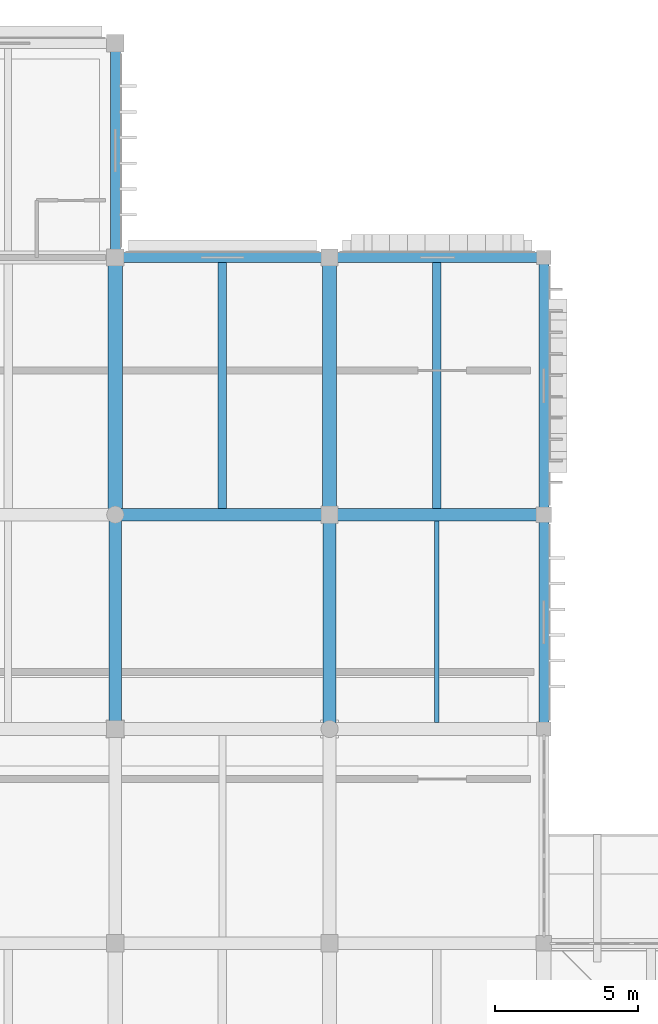
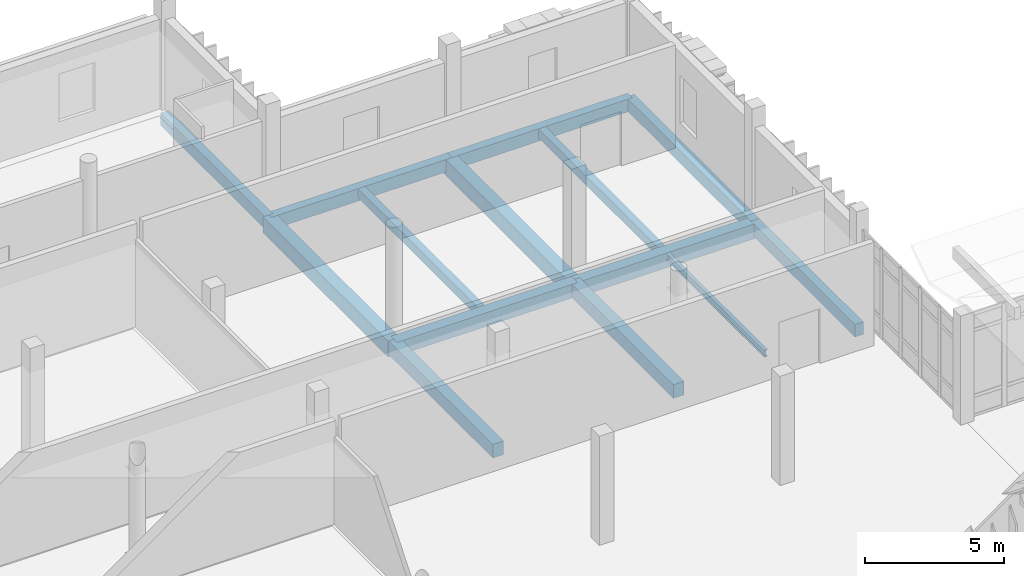
# One storey, part 73 of 131: 14 beams.
"""IFC4 building model written with IfcOpenShell, lengths in metres."""

from ifc_helpers import new_model, si_unit, direction, frame, origin, origin_2d, place, context, subcontext, project, spatial, rectangle, i_section, extrude, material, material_profile, profile_set, type_object, element, save


model = new_model("IFC4")

# Units and contexts
model_context = context("Model", 3, precision=1e-05, world=origin(), true_north=direction((0.0, 1.0)))
body_context = subcontext(model_context, "Body", "Model", "MODEL_VIEW")
ifc_project = project(units=[si_unit("LENGTHUNIT", "METRE"), si_unit("AREAUNIT", "SQUARE_METRE"), si_unit("VOLUMEUNIT", "CUBIC_METRE"), si_unit("PLANEANGLEUNIT", "RADIAN"), si_unit("MASSUNIT", "GRAM", prefix="KILO")], contexts=[model_context])

# Site, building, storey
site_placement = place(None, origin())
site = spatial("IfcSite", under=ifc_project, at=site_placement, CompositionType="ELEMENT")
building_placement = place(site_placement, origin())
building = spatial("IfcBuilding", under=site, at=building_placement, Name="Dalvernix Boulevard General Hospital", CompositionType="ELEMENT")
storey_placement = place(building_placement, frame((0.0, 0.0, 9.300048828125)))
storey = spatial("IfcBuildingStorey", under=building, at=storey_placement, Name="L02", CompositionType="ELEMENT", Elevation=9.300048828125)

# Beams
ifc_material_1 = material(Name="Concrete C35/45", Category="concrete")
ifc_material_profile_1 = material_profile(ifc_material_1, rectangle(XDim=0.5, YDim=0.699951171875, at=origin_2d()), Name="RCB 500x700")
ifc_profile_set_1 = profile_set([ifc_material_profile_1], Name="Concrete C35/45")
beam_type_1 = type_object("IfcBeamType", Name="BM-B-01-I", PredefinedType="BEAM", material=ifc_profile_set_1)
for number, where, z_axis, x_axis, name in (
    (1, (127.5, 100.5, -0.670166015625), (0.0, 1.0, 0.0), (-1.0, 0.0, 0.0), "L02 N-S girder 18:P-Q"),
    (2, (135.0, 100.5, -0.670166015625), (0.0, 1.0, 0.0), (-1.0, 0.0, 0.0), "L02 N-S girder 19:P-Q"),
):
    element("IfcBeam", number, at=place(storey_placement, frame(where, z_axis=z_axis, x_axis=x_axis)), inside=storey, type_object=beam_type_1, Name=name, PredefinedType="BEAM", context=body_context, shape_type="SweptSolid", body=[
        extrude(rectangle(XDim=0.5, YDim=0.699951171875, at=origin_2d()), origin(), (0.0, 0.0, 1.0), 9.0),
    ])
ifc_material_profile_2 = material_profile(ifc_material_1, rectangle(XDim=0.449951171875, YDim=0.64990234375, at=origin_2d()), Name="RCB 450x650")
ifc_profile_set_2 = profile_set([ifc_material_profile_2], Name="Concrete C35/45")
beam_type_2 = type_object("IfcBeamType", Name="BM-B-03-I", PredefinedType="BEAM", material=ifc_profile_set_2)
beam_1_placement = place(storey_placement, frame((135.0, 100.5, -0.64501953125), z_axis=(1.0, 0.0, 0.0), x_axis=(0.0, 1.0, 0.0)))
element("IfcBeam", 3, at=beam_1_placement, inside=storey, type_object=beam_type_2, Name="L02 E-W girder P:19-20", PredefinedType="BEAM", context=body_context, shape_type="SweptSolid", body=[
    extrude(rectangle(XDim=0.449951171875, YDim=0.64990234375, at=origin_2d()), origin(), (0.0, 0.0, 1.0), 7.5),
])
ifc_material_profile_3 = material_profile(ifc_material_1, rectangle(XDim=0.449951171875, YDim=0.60009765625, at=origin_2d()), Name="RCB 450x600")
ifc_profile_set_3 = profile_set([ifc_material_profile_3], Name="Concrete C35/45")
beam_type_3 = type_object("IfcBeamType", Name="BM-B-04-I", PredefinedType="BEAM", material=ifc_profile_set_3)
for number, where, z_axis, x_axis, name in (
    (4, (127.5, 100.5, -0.6201171875), (1.0, 0.0, 0.0), (0.0, 1.0, 0.0), "L02 E-W girder P:18-19"),
    (5, (127.5, 93.0, -0.6201171875), (0.0, 1.0, 0.0), (-1.0, 0.0, 0.0), "L02 N-S girder 18:N-P"),
    (6, (135.0, 93.0, -0.6201171875), (0.0, 1.0, 0.0), (-1.0, 0.0, 0.0), "L02 N-S girder 19:N-P"),
):
    element("IfcBeam", number, at=place(storey_placement, frame(where, z_axis=z_axis, x_axis=x_axis)), inside=storey, type_object=beam_type_3, Name=name, PredefinedType="BEAM", context=body_context, shape_type="SweptSolid", body=[
        extrude(rectangle(XDim=0.449951171875, YDim=0.60009765625, at=origin_2d()), origin(), (0.0, 0.0, 1.0), 7.5),
    ])
ifc_material_profile_4 = material_profile(ifc_material_1, rectangle(XDim=0.300048828125, YDim=0.39990234375, at=origin_2d()), Name="RCB 300x400")
ifc_profile_set_4 = profile_set([ifc_material_profile_4], Name="Concrete C35/45")
beam_type_4 = type_object("IfcBeamType", Name="BM-JB-01", PredefinedType="JOIST", material=ifc_profile_set_4)
for number, where, z_axis, x_axis, name in (
    (7, (131.25, 100.72509765625, -0.52001953125), (0.0, 1.0, 0.0), (-1.0, 0.0, 0.0), "L02 secondary floor beam 18-P"),
    (8, (138.75, 100.72509765625, -0.52001953125), (0.0, 1.0, 0.0), (-1.0, 0.0, 0.0), "L02 secondary floor beam 19-P"),
):
    element("IfcBeam", number, at=place(storey_placement, frame(where, z_axis=z_axis, x_axis=x_axis)), inside=storey, type_object=beam_type_4, Name=name, PredefinedType="JOIST", context=body_context, shape_type="SweptSolid", body=[
        extrude(rectangle(XDim=0.300048828125, YDim=0.39990234375, at=origin_2d()), origin(), (0.0, 0.0, 1.0), 8.599853515625),
    ])
ifc_material_2 = material(Name="Steel S355", Category="steel")
ifc_material_profile_5 = material_profile(ifc_material_2, i_section(OverallWidth=0.14990234375, OverallDepth=0.300048828125, WebThickness=0.007080078125, FlangeThickness=0.0107421875, FilletRadius=0.014892578125, at=origin_2d()), Name="IPE 300")
ifc_profile_set_5 = profile_set([ifc_material_profile_5], Name="Steel S355")
beam_type_5 = type_object("IfcBeamType", Name="BM-JB-03", PredefinedType="JOIST", material=ifc_profile_set_5)
beam_2_placement = place(storey_placement, frame((138.75, 93.22509765625, -0.469970703125), z_axis=(0.0, 1.0, 0.0), x_axis=(-1.0, 0.0, 0.0)))
element("IfcBeam", 9, at=beam_2_placement, inside=storey, type_object=beam_type_5, Name="L02 secondary floor beam 19-N", PredefinedType="JOIST", context=body_context, shape_type="SweptSolid", body=[
    extrude(i_section(OverallWidth=0.14990234375, OverallDepth=0.300048828125, WebThickness=0.007080078125, FlangeThickness=0.0107421875, FilletRadius=0.014892578125, at=origin_2d()), origin(), (0.0, 0.0, 1.0), 7.0498046875),
])
ifc_material_profile_6 = material_profile(ifc_material_1, rectangle(XDim=0.35009765625, YDim=0.550048828125, at=origin_2d()), Name="RCB 350x550")
ifc_profile_set_6 = profile_set([ifc_material_profile_6], Name="Concrete C35/45")
beam_type_6 = type_object("IfcBeamType", Name="BM-SB-01-E", PredefinedType="SPANDREL", material=ifc_profile_set_6)
for number, where, z_axis, x_axis, name in (
    (10, (127.5, 109.5, -0.594970703125), (1.0, 0.0, 0.0), (0.0, 1.0, 0.0), "L02 E-W girder Q:18-19"),
    (11, (135.0, 109.5, -0.594970703125), (1.0, 0.0, 0.0), (0.0, 1.0, 0.0), "L02 E-W girder Q:19-20"),
    (12, (127.5, 109.5, -0.594970703125), (0.0, 1.0, 0.0), (-1.0, 0.0, 0.0), "L02 N-S girder 18:Q-R"),
    (13, (142.5, 93.0, -0.594970703125), (0.0, 1.0, 0.0), (-1.0, 0.0, 0.0), "L02 N-S girder 20:N-P"),
):
    element("IfcBeam", number, at=place(storey_placement, frame(where, z_axis=z_axis, x_axis=x_axis)), inside=storey, type_object=beam_type_6, Name=name, PredefinedType="SPANDREL", context=body_context, shape_type="SweptSolid", body=[
        extrude(rectangle(XDim=0.35009765625, YDim=0.550048828125, at=origin_2d()), origin(), (0.0, 0.0, 1.0), 7.5),
    ])
beam_3_placement = place(storey_placement, frame((142.5, 100.5, -0.594970703125), z_axis=(0.0, 1.0, 0.0), x_axis=(-1.0, 0.0, 0.0)))
element("IfcBeam", 14, at=beam_3_placement, inside=storey, type_object=beam_type_6, Name="L02 N-S girder 20:P-Q", PredefinedType="SPANDREL", context=body_context, shape_type="SweptSolid", body=[
    extrude(rectangle(XDim=0.35009765625, YDim=0.550048828125, at=origin_2d()), origin(), (0.0, 0.0, 1.0), 9.0),
])

save(model, "model.ifc")
